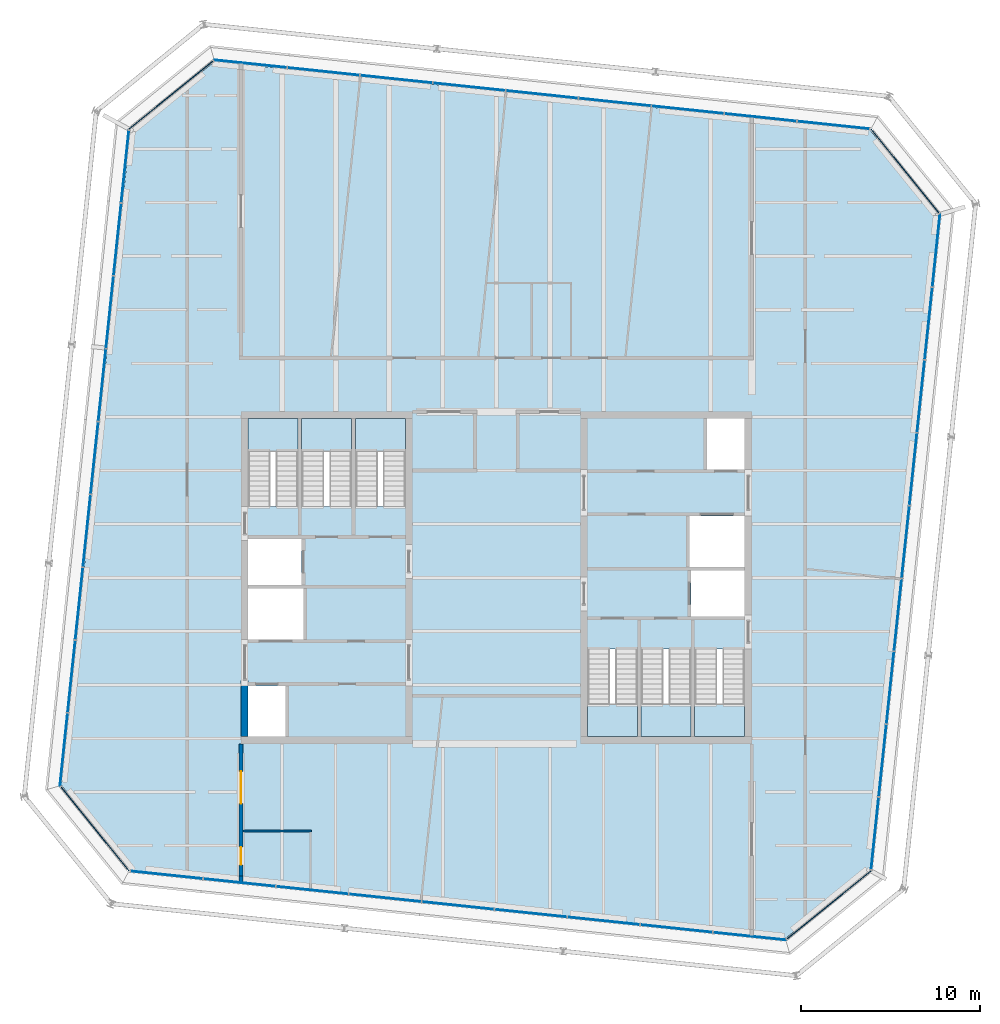
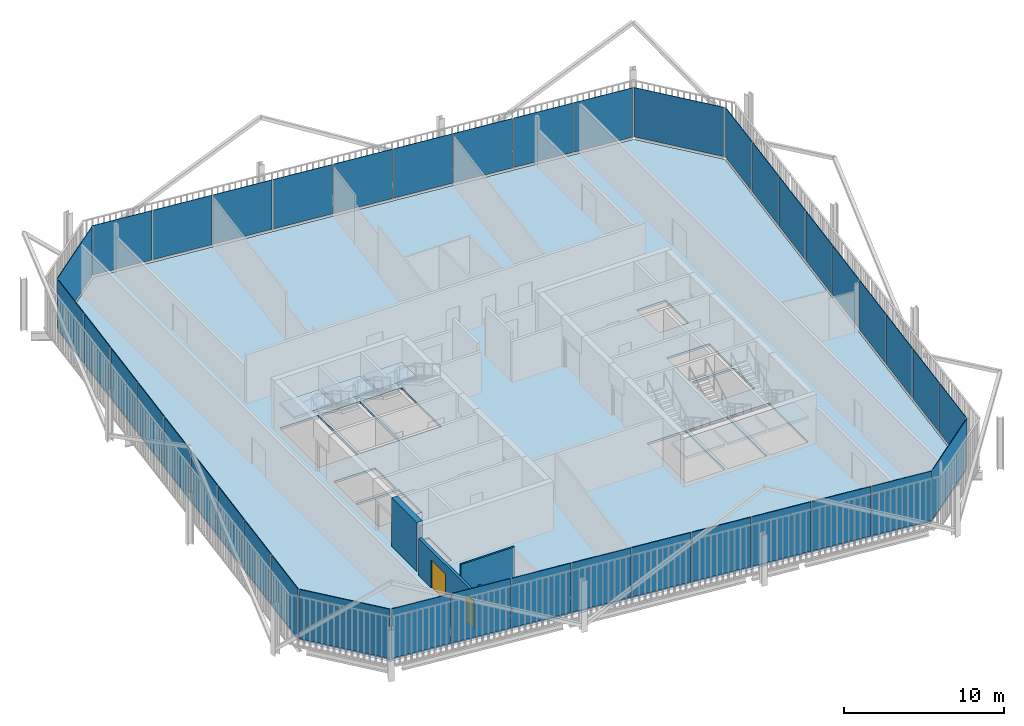
# One storey, part 16 of 21: 40 plates, 7 slabs, 4 walls, 2 doors, 2 openings, 14 elements without a shape of their own.
"""IFC4 building model written with IfcOpenShell, lengths in metres."""

import ifcopenshell
import ifcopenshell.guid

model = None  # the IFC model being written
_history = None  # IfcOwnerHistory: only IFC2X3 demands one
_inside = {}  # id of a spatial element -> (the spatial element, [elements in it])
_under = {}  # id of a project, library or spatial element -> (it, [spatial elements below it])
_declared = {}  # id of a project -> (the project, [libraries it declares])
_typed = {}  # id of a type object -> (the type object, [elements of that type])
_made_of = {}  # id of a material, layer set ... -> (it, [elements and type objects made of it])


def new_model(schema):
    """Start an empty IFC model of exactly this schema.

    Asked for "IFC4X3", IfcOpenShell would pick the latest addendum, in which some entities
    have other attributes; the version numbers below select the first issue.
    IFC2X3 requires an IfcOwnerHistory on every rooted entity: one is made here for all.
    """
    global model, _history
    if schema == "IFC4X3":
        model = ifcopenshell.file(schema_version=(4, 3, 0, 0))
    else:
        model = ifcopenshell.file(schema=schema)
    _inside.clear()
    _under.clear()
    _declared.clear()
    _typed.clear()
    _made_of.clear()
    _history = None
    if model.schema == "IFC2X3":
        org = make("IfcOrganization", Name="unknown")
        user = make(
            "IfcPersonAndOrganization",
            ThePerson=make("IfcPerson", FamilyName="unknown"),
            TheOrganization=org,
        )
        app = make(
            "IfcApplication",
            ApplicationDeveloper=org,
            Version="unknown",
            ApplicationFullName="unknown",
            ApplicationIdentifier="unknown",
        )
        _history = make(
            "IfcOwnerHistory",
            OwningUser=user,
            OwningApplication=app,
            ChangeAction="ADDED",
            CreationDate=0,
        )
    return model


def make(cls, **values):
    """One entity of the class cls with the attributes given. An attribute that is None is left unset."""
    return model.create_entity(
        cls, **{name: value for name, value in values.items() if value is not None}
    )


def rooted(cls, **values):
    """An entity with a GlobalId (a new one), such as an element, a storey or a relation."""
    return make(cls, GlobalId=ifcopenshell.guid.new(), OwnerHistory=_history, **values)


def si_unit(unit_type, name, prefix=None):
    """IfcSIUnit, for example si_unit("LENGTHUNIT", "METRE", prefix="MILLI")."""
    return make("IfcSIUnit", UnitType=unit_type, Prefix=prefix, Name=name)


def assignment(units):
    """IfcUnitAssignment: the units of a project."""
    return None if units is None else make("IfcUnitAssignment", Units=units)


def point(xyz):
    """IfcCartesianPoint."""
    return None if xyz is None else make("IfcCartesianPoint", Coordinates=xyz)


def direction(xyz):
    """IfcDirection."""
    return None if xyz is None else make("IfcDirection", DirectionRatios=xyz)


def frame(location, z_axis=None, x_axis=None):
    """IfcAxis2Placement3D, a coordinate frame: its origin and axes. An axis left out is left unset."""
    return make(
        "IfcAxis2Placement3D",
        Location=point(location),
        Axis=direction(z_axis),
        RefDirection=direction(x_axis),
    )


def frame_2d(location, x_axis=None):
    """IfcAxis2Placement2D, a coordinate frame in the plane: its origin and x axis."""
    return make(
        "IfcAxis2Placement2D", Location=point(location), RefDirection=direction(x_axis)
    )


def origin():
    """The frame at (0, 0, 0) with its axes left unset."""
    return frame((0.0, 0.0, 0.0))


def place(relative_to, where):
    """IfcLocalPlacement: puts the frame where relative to a parent placement (None: the world)."""
    return make(
        "IfcLocalPlacement", PlacementRelTo=relative_to, RelativePlacement=where
    )


def context(
    kind, dimensions, precision=None, world=None, true_north=None, identifier=None
):
    """IfcGeometricRepresentationContext, for example the 3D "Model" context."""
    return make(
        "IfcGeometricRepresentationContext",
        ContextIdentifier=identifier,
        ContextType=kind,
        CoordinateSpaceDimension=dimensions,
        Precision=precision,
        WorldCoordinateSystem=world,
        TrueNorth=true_north,
    )


def subcontext(parent, identifier, kind, view, scale=None):
    """IfcGeometricRepresentationSubContext, for example "Body" below "Model"."""
    return make(
        "IfcGeometricRepresentationSubContext",
        ContextIdentifier=identifier,
        ContextType=kind,
        ParentContext=parent,
        TargetScale=scale,
        TargetView=view,
    )


def project(units=None, contexts=None):
    """IfcProject with its units and contexts."""
    return rooted(
        "IfcProject",
        Name="project",
        RepresentationContexts=contexts,
        UnitsInContext=assignment(units),
    )


def spatial(cls, under=None, at=None, **own):
    """A site, building, storey or space (cls), placed at a placement, below another one or the project."""
    s = rooted(cls, ObjectPlacement=at, **own)
    if under is not None:
        _under.setdefault(under.id(), (under, []))[1].append(s)
    return s


def polyline(points):
    """IfcPolyline through the points."""
    return make("IfcPolyline", Points=[point(p) for p in points])


def profile(cls, at=None, kind="AREA", **sizes):
    """A parametric profile (cls). Its sizes go by their IFC names, for example OverallWidth=200.0."""
    return make(cls, ProfileType=kind, Position=at, **sizes)


def rectangle(**sizes):
    """IfcRectangleProfileDef."""
    return profile("IfcRectangleProfileDef", **sizes)


def outline(outer, holes=None, kind="AREA"):
    """IfcArbitraryClosedProfileDef: a profile drawn as a closed curve; with holes, ...WithVoids."""
    if holes is None:
        return make("IfcArbitraryClosedProfileDef", ProfileType=kind, OuterCurve=outer)
    return make(
        "IfcArbitraryProfileDefWithVoids",
        ProfileType=kind,
        OuterCurve=outer,
        InnerCurves=holes,
    )


def extrude(swept, where, along, depth):
    """IfcExtrudedAreaSolid: the profile swept, set in the frame where, extruded along a direction by depth."""
    return make(
        "IfcExtrudedAreaSolid",
        SweptArea=swept,
        Position=where,
        ExtrudedDirection=direction(along),
        Depth=depth,
    )


def shape(context_of_items, identifier, shape_type, items):
    """IfcShapeRepresentation: the items that make up one representation, for example the "Body"."""
    return make(
        "IfcShapeRepresentation",
        ContextOfItems=context_of_items,
        RepresentationIdentifier=identifier,
        RepresentationType=shape_type,
        Items=items,
    )


def material(Name=None, Category=None):
    """IfcMaterial."""
    return make("IfcMaterial", Name=Name, Category=Category)


def layer(
    of_material, thickness, ventilated=None, Name=None, Category=None, Priority=None
):
    """IfcMaterialLayer: one layer of a wall or slab, of a material (None: an air gap)."""
    return make(
        "IfcMaterialLayer",
        Material=of_material,
        LayerThickness=thickness,
        IsVentilated=ventilated,
        Name=Name,
        Category=Category,
        Priority=Priority,
    )


def layer_set(layers, Name=None):
    """IfcMaterialLayerSet."""
    return make("IfcMaterialLayerSet", MaterialLayers=layers, LayerSetName=Name)


def made_of(thing, what):
    """Note that an element or type object is made of a material, layer set ...; save() writes the relation."""
    if what is not None:
        _made_of.setdefault(what.id(), (what, []))[1].append(thing)
    return thing


def type_object(cls, material=None, **own):
    """A type object (cls), such as IfcWallType, which elements share."""
    return made_of(rooted(cls, **own), material)


def element(
    cls,
    number,
    at=None,
    inside=None,
    cuts=None,
    type_object=None,
    material=None,
    context=None,
    identifier="Body",
    shape_type=None,
    held_by="IfcProductDefinitionShape",
    body=None,
    shapes=None,
    **own,
):
    """One element of the class cls, such as IfcWall. Its Tag is "e" and its number.

    at: its placement. inside: the storey or other place that contains it. cuts: it is an
    opening in that element (IfcRelVoidsElement). A single representation is given by context,
    identifier, shape_type and body (its items); several are given by shapes. held_by: the class
    of the entity that holds the representations. save() writes the other relations.
    """
    e = rooted(cls, Tag="e%d" % number, ObjectPlacement=at, **own)
    if body is not None:
        shapes = [shape(context, identifier, shape_type, body)]
    if shapes is not None:
        e.Representation = make(held_by, Representations=shapes)
    if inside is not None:
        _inside.setdefault(inside.id(), (inside, []))[1].append(e)
    if cuts is not None:
        rooted(
            "IfcRelVoidsElement", RelatingBuildingElement=cuts, RelatedOpeningElement=e
        )
    if type_object is not None:
        _typed.setdefault(type_object.id(), (type_object, []))[1].append(e)
    return made_of(e, material)


def fill(opening, filler):
    """IfcRelFillsElement: the door or window that sits in an opening."""
    return rooted(
        "IfcRelFillsElement",
        RelatingOpeningElement=opening,
        RelatedBuildingElement=filler,
    )


def aggregate(whole, parts):
    """IfcRelAggregates: a whole, such as a stair, and the parts it consists of."""
    return rooted("IfcRelAggregates", RelatingObject=whole, RelatedObjects=parts)


def save(model, path):
    """Write the relations noted so far, then the file.

    IfcRelAggregates (storeys below a building ...), IfcRelContainedInSpatialStructure (elements
    in a storey), IfcRelDefinesByType, IfcRelAssociatesMaterial and IfcRelDeclares: one each for
    every whole, place, type object, material and project.
    """
    for whole, parts in _under.values():
        aggregate(whole, parts)
    for where, things in _inside.values():
        rooted(
            "IfcRelContainedInSpatialStructure",
            RelatedElements=things,
            RelatingStructure=where,
        )
    for kind, things in _typed.values():
        rooted("IfcRelDefinesByType", RelatedObjects=things, RelatingType=kind)
    for what, things in _made_of.values():
        rooted("IfcRelAssociatesMaterial", RelatedObjects=things, RelatingMaterial=what)
    for by, libraries in _declared.values():
        rooted("IfcRelDeclares", RelatingContext=by, RelatedDefinitions=libraries)
    model.write(path)


model = new_model("IFC4")

# Units and contexts
model_context = context("Model", 3, precision=1e-05, world=origin(), true_north=direction((0.0, 1.0)))
body_context = subcontext(model_context, "Body", "Model", "MODEL_VIEW")
ifc_project = project(units=[si_unit("LENGTHUNIT", "METRE"), si_unit("AREAUNIT", "SQUARE_METRE"), si_unit("VOLUMEUNIT", "CUBIC_METRE"), si_unit("PLANEANGLEUNIT", "RADIAN"), si_unit("MASSUNIT", "GRAM", prefix="KILO")], contexts=[model_context])

# Site, building, storey
site_placement = place(None, origin())
site = spatial("IfcSite", under=ifc_project, at=site_placement, CompositionType="ELEMENT")
building_placement = place(site_placement, origin())
building = spatial("IfcBuilding", under=site, at=building_placement, Name="Millrace Tower", CompositionType="ELEMENT")
storey_placement = place(building_placement, frame((0.0, 0.0, 276.0)))
storey = spatial("IfcBuildingStorey", under=building, at=storey_placement, Name="L63", CompositionType="ELEMENT", Elevation=276.0)

# Curtain wall, plate
ifc_material_1 = material(Name="Aluminium and glass", Category="aluminium")
ifc_layer_1 = layer(ifc_material_1, 0.14990234375)
ifc_layer_set_1 = layer_set([ifc_layer_1], Name="Aluminium and glass")
curtain_wall_type = type_object("IfcCurtainWallType", Name="CW-1 office vision curtain wall", PredefinedType="NOTDEFINED", material=ifc_layer_set_1)
placement_1 = place(storey_placement, origin())
curtain_wall_1 = element("IfcCurtainWall", 1, at=placement_1, inside=storey, type_object=curtain_wall_type, Name="Curtain wall E-F01 L63", PredefinedType="NOTDEFINED")
ifc_material_2 = material(Name="Glass", Category="glass")
ifc_layer_2 = layer(ifc_material_2, 0.0439453125)
ifc_layer_set_2 = layer_set([ifc_layer_2], Name="Glass")
plate_type = type_object("IfcPlateType", Name="CW-1 office vision curtain wall triple-glazed vision panel", PredefinedType="CURTAIN_PANEL", material=ifc_layer_set_2)
placement_2 = place(storey_placement, frame((0.0, 0.0, 0.139892578125)))
plate_1 = element("IfcPlate", 2, at=placement_2, type_object=plate_type, Name="CW1 panel E-F01.1", PredefinedType="CURTAIN_PANEL", context=body_context, shape_type="SweptSolid", body=[
    extrude(outline(polyline([(-24.388427734375, -11.732421875), (-20.5771484375, -16.439208984375), (-20.554443359375, -16.397216796875), (-24.354248046875, -11.704833984375), (-24.388427734375, -11.732421875)])), origin(), (0.0, 0.0, 1.0), 3.760009765625),
])
aggregate(curtain_wall_1, [plate_1])

# Curtain wall, plates
curtain_wall_2 = element("IfcCurtainWall", 3, at=placement_1, inside=storey, type_object=curtain_wall_type, Name="Curtain wall E-F02 L63", PredefinedType="NOTDEFINED")
plate_2 = element("IfcPlate", 4, at=placement_2, type_object=plate_type, Name="CW1 panel E-F02.1", PredefinedType="CURTAIN_PANEL", context=body_context, shape_type="SweptSolid", body=[
    extrude(outline(polyline([(-20.472412109375, -16.4501953125), (-16.45947265625, -16.871826171875), (-16.454833984375, -16.828125), (-20.4677734375, -16.40625), (-20.472412109375, -16.4501953125)])), origin(), (0.0, 0.0, 1.0), 3.760009765625),
])
plate_3 = element("IfcPlate", 5, at=placement_2, type_object=plate_type, Name="CW1 panel E-F02.2", PredefinedType="CURTAIN_PANEL", context=body_context, shape_type="SweptSolid", body=[
    extrude(outline(polyline([(-16.39501953125, -16.878662109375), (-12.382080078125, -17.300537109375), (-12.37744140625, -17.256591796875), (-16.390380859375, -16.8349609375), (-16.39501953125, -16.878662109375)])), origin(), (0.0, 0.0, 1.0), 3.760009765625),
])
plate_4 = element("IfcPlate", 6, at=placement_2, type_object=plate_type, Name="CW1 panel E-F02.3", PredefinedType="CURTAIN_PANEL", context=body_context, shape_type="SweptSolid", body=[
    extrude(outline(polyline([(-12.3173828125, -17.30712890625), (-8.304443359375, -17.72900390625), (-8.2998046875, -17.685302734375), (-12.312744140625, -17.263427734375), (-12.3173828125, -17.30712890625)])), origin(), (0.0, 0.0, 1.0), 3.760009765625),
])
plate_5 = element("IfcPlate", 7, at=placement_2, type_object=plate_type, Name="CW1 panel E-F02.4", PredefinedType="CURTAIN_PANEL", context=body_context, shape_type="SweptSolid", body=[
    extrude(outline(polyline([(-8.23974609375, -17.73583984375), (-4.22705078125, -18.157470703125), (-4.222412109375, -18.11376953125), (-8.235107421875, -17.692138671875), (-8.23974609375, -17.73583984375)])), origin(), (0.0, 0.0, 1.0), 3.760009765625),
])
plate_6 = element("IfcPlate", 8, at=placement_2, type_object=plate_type, Name="CW1 panel E-F02.5", PredefinedType="CURTAIN_PANEL", context=body_context, shape_type="SweptSolid", body=[
    extrude(outline(polyline([(-4.162353515625, -18.164306640625), (-0.1494140625, -18.586181640625), (-0.144775390625, -18.54248046875), (-4.15771484375, -18.12060546875), (-4.162353515625, -18.164306640625)])), origin(), (0.0, 0.0, 1.0), 3.760009765625),
])
plate_7 = element("IfcPlate", 9, at=placement_2, type_object=plate_type, Name="CW1 panel E-F02.6", PredefinedType="CURTAIN_PANEL", context=body_context, shape_type="SweptSolid", body=[
    extrude(outline(polyline([(-0.084716796875, -18.593017578125), (3.92822265625, -19.0146484375), (3.932861328125, -18.970947265625), (-0.080078125, -18.549072265625), (-0.084716796875, -18.593017578125)])), origin(), (0.0, 0.0, 1.0), 3.760009765625),
])
plate_8 = element("IfcPlate", 10, at=placement_2, type_object=plate_type, Name="CW1 panel E-F02.7", PredefinedType="CURTAIN_PANEL", context=body_context, shape_type="SweptSolid", body=[
    extrude(outline(polyline([(3.99267578125, -19.021484375), (8.005615234375, -19.443359375), (8.01025390625, -19.3994140625), (3.997314453125, -18.977783203125), (3.99267578125, -19.021484375)])), origin(), (0.0, 0.0, 1.0), 3.760009765625),
])
plate_9 = element("IfcPlate", 11, at=placement_2, type_object=plate_type, Name="CW1 panel E-F02.8", PredefinedType="CURTAIN_PANEL", context=body_context, shape_type="SweptSolid", body=[
    extrude(outline(polyline([(8.0703125, -19.449951171875), (12.083251953125, -19.871826171875), (12.087890625, -19.828125), (8.074951171875, -19.40625), (8.0703125, -19.449951171875)])), origin(), (0.0, 0.0, 1.0), 3.760009765625),
])
plate_10 = element("IfcPlate", 12, at=placement_2, type_object=plate_type, Name="CW1 panel E-F02.9", PredefinedType="CURTAIN_PANEL", context=body_context, shape_type="SweptSolid", body=[
    extrude(outline(polyline([(12.14794921875, -19.878662109375), (16.20068359375, -20.3046875), (16.187255859375, -20.259033203125), (12.152587890625, -19.8349609375), (12.14794921875, -19.878662109375)])), origin(), (0.0, 0.0, 1.0), 3.760009765625),
])
aggregate(curtain_wall_2, [plate_2, plate_3, plate_4, plate_5, plate_6, plate_7, plate_8, plate_9, plate_10])

# Curtain wall, plate
curtain_wall_3 = element("IfcCurtainWall", 13, at=placement_1, inside=storey, type_object=curtain_wall_type, Name="Curtain wall E-F03 L63", PredefinedType="NOTDEFINED")
plate_11 = element("IfcPlate", 14, at=placement_2, type_object=plate_type, Name="CW1 panel E-F03.1", PredefinedType="CURTAIN_PANEL", context=body_context, shape_type="SweptSolid", body=[
    extrude(outline(polyline([(16.282470703125, -20.23828125), (20.989013671875, -16.427001953125), (20.947265625, -16.404296875), (16.2548828125, -20.2041015625), (16.282470703125, -20.23828125)])), origin(), (0.0, 0.0, 1.0), 3.760009765625),
])
aggregate(curtain_wall_3, [plate_11])

# Curtain wall, plates
curtain_wall_4 = element("IfcCurtainWall", 15, at=placement_1, inside=storey, type_object=curtain_wall_type, Name="Curtain wall E-F04 L63", PredefinedType="NOTDEFINED")
plate_12 = element("IfcPlate", 16, at=placement_2, type_object=plate_type, Name="CW1 panel E-F04.1", PredefinedType="CURTAIN_PANEL", context=body_context, shape_type="SweptSolid", body=[
    extrude(outline(polyline([(21.0, -16.322509765625), (21.421875, -12.3095703125), (21.378173828125, -12.304931640625), (20.956298828125, -16.31787109375), (21.0, -16.322509765625)])), origin(), (0.0, 0.0, 1.0), 3.760009765625),
])
plate_13 = element("IfcPlate", 17, at=placement_2, type_object=plate_type, Name="CW1 panel E-F04.2", PredefinedType="CURTAIN_PANEL", context=body_context, shape_type="SweptSolid", body=[
    extrude(outline(polyline([(21.4287109375, -12.244873046875), (21.850341796875, -8.23193359375), (21.806640625, -8.227294921875), (21.385009765625, -12.240234375), (21.4287109375, -12.244873046875)])), origin(), (0.0, 0.0, 1.0), 3.760009765625),
])
plate_14 = element("IfcPlate", 18, at=placement_2, type_object=plate_type, Name="CW1 panel E-F04.3", PredefinedType="CURTAIN_PANEL", context=body_context, shape_type="SweptSolid", body=[
    extrude(outline(polyline([(21.857177734375, -8.16748046875), (22.279052734375, -4.154541015625), (22.2353515625, -4.14990234375), (21.8134765625, -8.162841796875), (21.857177734375, -8.16748046875)])), origin(), (0.0, 0.0, 1.0), 3.760009765625),
])
plate_15 = element("IfcPlate", 19, at=placement_2, type_object=plate_type, Name="CW1 panel E-F04.4", PredefinedType="CURTAIN_PANEL", context=body_context, shape_type="SweptSolid", body=[
    extrude(outline(polyline([(22.285888671875, -4.08984375), (22.70751953125, -0.076904296875), (22.663818359375, -0.072265625), (22.241943359375, -4.085205078125), (22.285888671875, -4.08984375)])), origin(), (0.0, 0.0, 1.0), 3.760009765625),
])
plate_16 = element("IfcPlate", 20, at=placement_2, type_object=plate_type, Name="CW1 panel E-F04.5", PredefinedType="CURTAIN_PANEL", context=body_context, shape_type="SweptSolid", body=[
    extrude(outline(polyline([(22.71435546875, -0.01220703125), (23.13623046875, 4.00048828125), (23.09228515625, 4.005126953125), (22.670654296875, -0.007568359375), (22.71435546875, -0.01220703125)])), origin(), (0.0, 0.0, 1.0), 3.760009765625),
])
plate_17 = element("IfcPlate", 21, at=placement_2, type_object=plate_type, Name="CW1 panel E-F04.6", PredefinedType="CURTAIN_PANEL", context=body_context, shape_type="SweptSolid", body=[
    extrude(outline(polyline([(23.142822265625, 4.065185546875), (23.564697265625, 8.078125), (23.52099609375, 8.082763671875), (23.09912109375, 4.06982421875), (23.142822265625, 4.065185546875)])), origin(), (0.0, 0.0, 1.0), 3.760009765625),
])
plate_18 = element("IfcPlate", 22, at=placement_2, type_object=plate_type, Name="CW1 panel E-F04.7", PredefinedType="CURTAIN_PANEL", context=body_context, shape_type="SweptSolid", body=[
    extrude(outline(polyline([(23.571533203125, 8.142822265625), (23.9931640625, 12.15576171875), (23.949462890625, 12.160400390625), (23.52783203125, 8.1474609375), (23.571533203125, 8.142822265625)])), origin(), (0.0, 0.0, 1.0), 3.760009765625),
])
plate_19 = element("IfcPlate", 23, at=placement_2, type_object=plate_type, Name="CW1 panel E-F04.8", PredefinedType="CURTAIN_PANEL", context=body_context, shape_type="SweptSolid", body=[
    extrude(outline(polyline([(24.0, 12.22021484375), (24.421875, 16.233154296875), (24.378173828125, 16.23779296875), (23.956298828125, 12.224853515625), (24.0, 12.22021484375)])), origin(), (0.0, 0.0, 1.0), 3.760009765625),
])
plate_20 = element("IfcPlate", 24, at=placement_2, type_object=plate_type, Name="CW1 panel E-F04.9", PredefinedType="CURTAIN_PANEL", context=body_context, shape_type="SweptSolid", body=[
    extrude(outline(polyline([(24.4287109375, 16.2978515625), (24.8544921875, 20.350830078125), (24.808837890625, 20.337158203125), (24.384765625, 16.302490234375), (24.4287109375, 16.2978515625)])), origin(), (0.0, 0.0, 1.0), 3.760009765625),
])
aggregate(curtain_wall_4, [plate_12, plate_13, plate_14, plate_15, plate_16, plate_17, plate_18, plate_19, plate_20])

# Curtain wall, plate
curtain_wall_5 = element("IfcCurtainWall", 25, at=placement_1, inside=storey, type_object=curtain_wall_type, Name="Curtain wall E-F05 L63", PredefinedType="NOTDEFINED")
plate_21 = element("IfcPlate", 26, at=placement_2, type_object=plate_type, Name="CW1 panel E-F05.1", PredefinedType="CURTAIN_PANEL", context=body_context, shape_type="SweptSolid", body=[
    extrude(outline(polyline([(24.788330078125, 20.432373046875), (20.97705078125, 25.13916015625), (20.954345703125, 25.09716796875), (24.754150390625, 20.40478515625), (24.788330078125, 20.432373046875)])), origin(), (0.0, 0.0, 1.0), 3.760009765625),
])
aggregate(curtain_wall_5, [plate_21])

# Curtain wall, plates
curtain_wall_6 = element("IfcCurtainWall", 27, at=placement_1, inside=storey, type_object=curtain_wall_type, Name="Curtain wall E-F06 L63", PredefinedType="NOTDEFINED")
plate_22 = element("IfcPlate", 28, at=placement_2, type_object=plate_type, Name="CW1 panel E-F06.1", PredefinedType="CURTAIN_PANEL", context=body_context, shape_type="SweptSolid", body=[
    extrude(outline(polyline([(20.87255859375, 25.150146484375), (16.859619140625, 25.57177734375), (16.85498046875, 25.528076171875), (20.867919921875, 25.1064453125), (20.87255859375, 25.150146484375)])), origin(), (0.0, 0.0, 1.0), 3.760009765625),
])
plate_23 = element("IfcPlate", 29, at=placement_2, type_object=plate_type, Name="CW1 panel E-F06.2", PredefinedType="CURTAIN_PANEL", context=body_context, shape_type="SweptSolid", body=[
    extrude(outline(polyline([(16.794921875, 25.57861328125), (12.781982421875, 26.00048828125), (12.77734375, 25.956787109375), (16.790283203125, 25.534912109375), (16.794921875, 25.57861328125)])), origin(), (0.0, 0.0, 1.0), 3.760009765625),
])
plate_24 = element("IfcPlate", 30, at=placement_2, type_object=plate_type, Name="CW1 panel E-F06.3", PredefinedType="CURTAIN_PANEL", context=body_context, shape_type="SweptSolid", body=[
    extrude(outline(polyline([(12.71728515625, 26.00732421875), (8.70458984375, 26.428955078125), (8.699951171875, 26.38525390625), (12.712646484375, 25.96337890625), (12.71728515625, 26.00732421875)])), origin(), (0.0, 0.0, 1.0), 3.760009765625),
])
plate_25 = element("IfcPlate", 31, at=placement_2, type_object=plate_type, Name="CW1 panel E-F06.4", PredefinedType="CURTAIN_PANEL", context=body_context, shape_type="SweptSolid", body=[
    extrude(outline(polyline([(8.639892578125, 26.435791015625), (4.626953125, 26.857666015625), (4.622314453125, 26.813720703125), (8.63525390625, 26.39208984375), (8.639892578125, 26.435791015625)])), origin(), (0.0, 0.0, 1.0), 3.760009765625),
])
plate_26 = element("IfcPlate", 32, at=placement_2, type_object=plate_type, Name="CW1 panel E-F06.5", PredefinedType="CURTAIN_PANEL", context=body_context, shape_type="SweptSolid", body=[
    extrude(outline(polyline([(4.562255859375, 26.8642578125), (0.54931640625, 27.2861328125), (0.544677734375, 27.242431640625), (4.5576171875, 26.820556640625), (4.562255859375, 26.8642578125)])), origin(), (0.0, 0.0, 1.0), 3.760009765625),
])
plate_27 = element("IfcPlate", 33, at=placement_2, type_object=plate_type, Name="CW1 panel E-F06.6", PredefinedType="CURTAIN_PANEL", context=body_context, shape_type="SweptSolid", body=[
    extrude(outline(polyline([(0.48486328125, 27.29296875), (-3.528076171875, 27.714599609375), (-3.53271484375, 27.6708984375), (0.480224609375, 27.249267578125), (0.48486328125, 27.29296875)])), origin(), (0.0, 0.0, 1.0), 3.760009765625),
])
plate_28 = element("IfcPlate", 34, at=placement_2, type_object=plate_type, Name="CW1 panel E-F06.7", PredefinedType="CURTAIN_PANEL", context=body_context, shape_type="SweptSolid", body=[
    extrude(outline(polyline([(-3.5927734375, 27.721435546875), (-7.605712890625, 28.143310546875), (-7.6103515625, 28.099609375), (-3.597412109375, 27.677734375), (-3.5927734375, 27.721435546875)])), origin(), (0.0, 0.0, 1.0), 3.760009765625),
])
plate_29 = element("IfcPlate", 35, at=placement_2, type_object=plate_type, Name="CW1 panel E-F06.8", PredefinedType="CURTAIN_PANEL", context=body_context, shape_type="SweptSolid", body=[
    extrude(outline(polyline([(-7.67041015625, 28.150146484375), (-11.68310546875, 28.57177734375), (-11.687744140625, 28.528076171875), (-7.675048828125, 28.106201171875), (-7.67041015625, 28.150146484375)])), origin(), (0.0, 0.0, 1.0), 3.760009765625),
])
plate_30 = element("IfcPlate", 36, at=placement_2, type_object=plate_type, Name="CW1 panel E-F06.9", PredefinedType="CURTAIN_PANEL", context=body_context, shape_type="SweptSolid", body=[
    extrude(outline(polyline([(-11.747802734375, 28.57861328125), (-15.80078125, 29.004638671875), (-15.787109375, 28.958984375), (-11.75244140625, 28.534912109375), (-11.747802734375, 28.57861328125)])), origin(), (0.0, 0.0, 1.0), 3.760009765625),
])
aggregate(curtain_wall_6, [plate_22, plate_23, plate_24, plate_25, plate_26, plate_27, plate_28, plate_29, plate_30])

# Curtain wall, plate
curtain_wall_7 = element("IfcCurtainWall", 37, at=placement_1, inside=storey, type_object=curtain_wall_type, Name="Curtain wall E-F07 L63", PredefinedType="NOTDEFINED")
plate_31 = element("IfcPlate", 38, at=placement_2, type_object=plate_type, Name="CW1 panel E-F07.1", PredefinedType="CURTAIN_PANEL", context=body_context, shape_type="SweptSolid", body=[
    extrude(outline(polyline([(-15.882568359375, 28.9384765625), (-20.589111328125, 25.126953125), (-20.547119140625, 25.104248046875), (-15.854736328125, 28.904296875), (-15.882568359375, 28.9384765625)])), origin(), (0.0, 0.0, 1.0), 3.760009765625),
])
aggregate(curtain_wall_7, [plate_31])

# Curtain wall, plates
curtain_wall_8 = element("IfcCurtainWall", 39, at=placement_1, inside=storey, type_object=curtain_wall_type, Name="Curtain wall E-F08 L63", PredefinedType="NOTDEFINED")
plate_32 = element("IfcPlate", 40, at=placement_2, type_object=plate_type, Name="CW1 panel E-F08.1", PredefinedType="CURTAIN_PANEL", context=body_context, shape_type="SweptSolid", body=[
    extrude(outline(polyline([(-20.60009765625, 25.0224609375), (-21.02197265625, 21.009521484375), (-20.97802734375, 21.0048828125), (-20.556396484375, 25.017822265625), (-20.60009765625, 25.0224609375)])), origin(), (0.0, 0.0, 1.0), 3.760009765625),
])
plate_33 = element("IfcPlate", 41, at=placement_2, type_object=plate_type, Name="CW1 panel E-F08.2", PredefinedType="CURTAIN_PANEL", context=body_context, shape_type="SweptSolid", body=[
    extrude(outline(polyline([(-21.028564453125, 20.94482421875), (-21.450439453125, 16.93212890625), (-21.40673828125, 16.927490234375), (-20.98486328125, 20.9404296875), (-21.028564453125, 20.94482421875)])), origin(), (0.0, 0.0, 1.0), 3.760009765625),
])
plate_34 = element("IfcPlate", 42, at=placement_2, type_object=plate_type, Name="CW1 panel E-F08.3", PredefinedType="CURTAIN_PANEL", context=body_context, shape_type="SweptSolid", body=[
    extrude(outline(polyline([(-21.457275390625, 16.867431640625), (-21.87890625, 12.8544921875), (-21.835205078125, 12.849853515625), (-21.41357421875, 16.86279296875), (-21.457275390625, 16.867431640625)])), origin(), (0.0, 0.0, 1.0), 3.760009765625),
])
plate_35 = element("IfcPlate", 43, at=placement_2, type_object=plate_type, Name="CW1 panel E-F08.4", PredefinedType="CURTAIN_PANEL", context=body_context, shape_type="SweptSolid", body=[
    extrude(outline(polyline([(-21.8857421875, 12.789794921875), (-22.3076171875, 8.77685546875), (-22.263916015625, 8.772216796875), (-21.842041015625, 12.78515625), (-21.8857421875, 12.789794921875)])), origin(), (0.0, 0.0, 1.0), 3.760009765625),
])
plate_36 = element("IfcPlate", 44, at=placement_2, type_object=plate_type, Name="CW1 panel E-F08.5", PredefinedType="CURTAIN_PANEL", context=body_context, shape_type="SweptSolid", body=[
    extrude(outline(polyline([(-22.314453125, 8.71240234375), (-22.736083984375, 4.699462890625), (-22.6923828125, 4.69482421875), (-22.2705078125, 8.707763671875), (-22.314453125, 8.71240234375)])), origin(), (0.0, 0.0, 1.0), 3.760009765625),
])
plate_37 = element("IfcPlate", 45, at=placement_2, type_object=plate_type, Name="CW1 panel E-F08.6", PredefinedType="CURTAIN_PANEL", context=body_context, shape_type="SweptSolid", body=[
    extrude(outline(polyline([(-22.742919921875, 4.634765625), (-23.164794921875, 0.621826171875), (-23.120849609375, 0.6171875), (-22.69921875, 4.630126953125), (-22.742919921875, 4.634765625)])), origin(), (0.0, 0.0, 1.0), 3.760009765625),
])
plate_38 = element("IfcPlate", 46, at=placement_2, type_object=plate_type, Name="CW1 panel E-F08.7", PredefinedType="CURTAIN_PANEL", context=body_context, shape_type="SweptSolid", body=[
    extrude(outline(polyline([(-23.17138671875, 0.55712890625), (-23.59326171875, -3.45556640625), (-23.549560546875, -3.460205078125), (-23.127685546875, 0.552490234375), (-23.17138671875, 0.55712890625)])), origin(), (0.0, 0.0, 1.0), 3.760009765625),
])
plate_39 = element("IfcPlate", 47, at=placement_2, type_object=plate_type, Name="CW1 panel E-F08.8", PredefinedType="CURTAIN_PANEL", context=body_context, shape_type="SweptSolid", body=[
    extrude(outline(polyline([(-23.60009765625, -3.520263671875), (-24.021728515625, -7.533203125), (-23.97802734375, -7.537841796875), (-23.556396484375, -3.52490234375), (-23.60009765625, -3.520263671875)])), origin(), (0.0, 0.0, 1.0), 3.760009765625),
])
plate_40 = element("IfcPlate", 48, at=placement_2, type_object=plate_type, Name="CW1 panel E-F08.9", PredefinedType="CURTAIN_PANEL", context=body_context, shape_type="SweptSolid", body=[
    extrude(outline(polyline([(-24.028564453125, -7.597900390625), (-24.45458984375, -11.650634765625), (-24.408935546875, -11.63720703125), (-23.98486328125, -7.6025390625), (-24.028564453125, -7.597900390625)])), origin(), (0.0, 0.0, 1.0), 3.760009765625),
])
aggregate(curtain_wall_8, [plate_32, plate_33, plate_34, plate_35, plate_36, plate_37, plate_38, plate_39, plate_40])

# Slab
ifc_material_3 = material(Name="Concrete C35 on steel deck", Category="concrete")
ifc_layer_3 = layer(ifc_material_3, 0.159912109375)
ifc_layer_set_3 = layer_set([ifc_layer_3], Name="Concrete C35 on steel deck")
slab_type_1 = type_object("IfcSlabType", Name="Composite floor slab 160 mm", PredefinedType="FLOOR", material=ifc_layer_set_3)
slab_1_placement = place(storey_placement, frame((0.0, 0.0, -0.159912109375)))
element("IfcSlab", 49, at=slab_1_placement, inside=storey, type_object=slab_type_1, Name="SL-E-L63-S1", PredefinedType="FLOOR", context=body_context, shape_type="SweptSolid", body=[
    extrude(outline(polyline([(-24.35400390625, -11.620849609375), (-20.52685546875, -16.346923828125), (16.1708984375, -20.203857421875), (20.896728515625, -16.376953125), (24.75390625, 20.32080078125), (20.927001953125, 25.046875), (-15.77099609375, 28.90380859375), (-20.496826171875, 25.076904296875), (-24.35400390625, -11.620849609375)]), holes=[polyline([(-13.89990234375, -8.89990234375), (-11.800048828125, -8.89990234375), (-11.800048828125, -6.050048828125), (-13.89990234375, -6.050048828125), (-13.89990234375, -8.89990234375)]), polyline([(-13.89990234375, -3.449951171875), (-10.800048828125, -3.449951171875), (-10.800048828125, -0.60009765625), (-13.89990234375, -0.60009765625), (-13.89990234375, -3.449951171875)]), polyline([(-13.89990234375, -0.39990234375), (-10.89990234375, -0.39990234375), (-10.89990234375, 2.179931640625), (-13.89990234375, 2.179931640625), (-13.89990234375, -0.39990234375)]), polyline([(-13.89990234375, 4.0), (-11.10009765625, 4.0), (-11.10009765625, 8.89990234375), (-13.89990234375, 8.89990234375), (-13.89990234375, 4.0)]), polyline([(-10.89990234375, 4.0), (-8.10009765625, 4.0), (-8.10009765625, 8.89990234375), (-10.89990234375, 8.89990234375), (-10.89990234375, 4.0)]), polyline([(-7.89990234375, 4.0), (-5.10009765625, 4.0), (-5.10009765625, 8.89990234375), (-7.89990234375, 8.89990234375), (-7.89990234375, 4.0)]), polyline([(11.800048828125, 6.050048828125), (13.89990234375, 6.050048828125), (13.89990234375, 8.89990234375), (11.800048828125, 8.89990234375), (11.800048828125, 6.050048828125)]), polyline([(10.800048828125, 0.60009765625), (13.89990234375, 0.60009765625), (13.89990234375, 3.449951171875), (10.800048828125, 3.449951171875), (10.800048828125, 0.60009765625)]), polyline([(10.89990234375, -2.179931640625), (13.89990234375, -2.179931640625), (13.89990234375, 0.39990234375), (10.89990234375, 0.39990234375), (10.89990234375, -2.179931640625)]), polyline([(11.10009765625, -8.89990234375), (13.89990234375, -8.89990234375), (13.89990234375, -4.0), (11.10009765625, -4.0), (11.10009765625, -8.89990234375)]), polyline([(8.10009765625, -8.89990234375), (10.89990234375, -8.89990234375), (10.89990234375, -4.0), (8.10009765625, -4.0), (8.10009765625, -8.89990234375)]), polyline([(5.10009765625, -8.89990234375), (7.89990234375, -8.89990234375), (7.89990234375, -4.0), (5.10009765625, -4.0), (5.10009765625, -8.89990234375)])]), origin(), (0.0, 0.0, 1.0), 0.159912109375),
])

# Stair, slab
ifc_material_4 = material(Name="Concrete C35", Category="concrete")
stair_type = type_object("IfcStairType", Name="Exit stair", PredefinedType="HALF_TURN_STAIR", material=ifc_material_4)
stair_1 = element("IfcStair", 50, at=placement_1, inside=storey, type_object=stair_type, Name="Stair 1 W L63", PredefinedType="HALF_TURN_STAIR")
ifc_material_5 = material(Name="Concrete C40", Category="concrete")
ifc_layer_4 = layer(ifc_material_5, 0.199951171875)
ifc_layer_set_4 = layer_set([ifc_layer_4], Name="Concrete C40")
slab_type_2 = type_object("IfcSlabType", Name="Stair landing", PredefinedType="LANDING", material=ifc_layer_set_4)
placement_3 = place(storey_placement, frame((0.0, 0.0, 1.75)))
slab_2 = element("IfcSlab", 51, at=placement_3, type_object=slab_type_2, Name="ST12 landing 1", PredefinedType="LANDING", context=body_context, shape_type="SweptSolid", body=[
    extrude(outline(polyline([(-13.89990234375, 7.080078125), (-11.10009765625, 7.080078125), (-11.10009765625, 8.89990234375), (-13.89990234375, 8.89990234375), (-13.89990234375, 7.080078125)])), origin(), (0.0, 0.0, 1.0), 0.199951171875),
])
aggregate(stair_1, [slab_2])

stair_2 = element("IfcStair", 52, at=placement_1, inside=storey, type_object=stair_type, Name="Stair 2 W L63", PredefinedType="HALF_TURN_STAIR")
slab_3 = element("IfcSlab", 53, at=placement_3, type_object=slab_type_2, Name="ST12 landing 1", PredefinedType="LANDING", context=body_context, shape_type="SweptSolid", body=[
    extrude(outline(polyline([(-10.89990234375, 7.080078125), (-8.10009765625, 7.080078125), (-8.10009765625, 8.89990234375), (-10.89990234375, 8.89990234375), (-10.89990234375, 7.080078125)])), origin(), (0.0, 0.0, 1.0), 0.199951171875),
])
aggregate(stair_2, [slab_3])

stair_3 = element("IfcStair", 54, at=placement_1, inside=storey, type_object=stair_type, Name="Stair 3 W L63", PredefinedType="HALF_TURN_STAIR")
slab_4 = element("IfcSlab", 55, at=placement_3, type_object=slab_type_2, Name="ST12 landing 1", PredefinedType="LANDING", context=body_context, shape_type="SweptSolid", body=[
    extrude(outline(polyline([(-7.89990234375, 7.080078125), (-5.10009765625, 7.080078125), (-5.10009765625, 8.89990234375), (-7.89990234375, 8.89990234375), (-7.89990234375, 7.080078125)])), origin(), (0.0, 0.0, 1.0), 0.199951171875),
])
aggregate(stair_3, [slab_4])

stair_4 = element("IfcStair", 56, at=placement_1, inside=storey, type_object=stair_type, Name="Stair 1 E L63", PredefinedType="HALF_TURN_STAIR")
slab_5 = element("IfcSlab", 57, at=placement_3, type_object=slab_type_2, Name="ST12 landing 1", PredefinedType="LANDING", context=body_context, shape_type="SweptSolid", body=[
    extrude(outline(polyline([(11.10009765625, -8.89990234375), (13.89990234375, -8.89990234375), (13.89990234375, -7.080078125), (11.10009765625, -7.080078125), (11.10009765625, -8.89990234375)])), origin(), (0.0, 0.0, 1.0), 0.199951171875),
])
aggregate(stair_4, [slab_5])

stair_5 = element("IfcStair", 58, at=placement_1, inside=storey, type_object=stair_type, Name="Stair 2 E L63", PredefinedType="HALF_TURN_STAIR")
slab_6 = element("IfcSlab", 59, at=placement_3, type_object=slab_type_2, Name="ST12 landing 1", PredefinedType="LANDING", context=body_context, shape_type="SweptSolid", body=[
    extrude(outline(polyline([(8.10009765625, -8.89990234375), (10.89990234375, -8.89990234375), (10.89990234375, -7.080078125), (8.10009765625, -7.080078125), (8.10009765625, -8.89990234375)])), origin(), (0.0, 0.0, 1.0), 0.199951171875),
])
aggregate(stair_5, [slab_6])

stair_6 = element("IfcStair", 60, at=placement_1, inside=storey, type_object=stair_type, Name="Stair 3 E L63", PredefinedType="HALF_TURN_STAIR")
slab_7 = element("IfcSlab", 61, at=placement_3, type_object=slab_type_2, Name="ST12 landing 1", PredefinedType="LANDING", context=body_context, shape_type="SweptSolid", body=[
    extrude(outline(polyline([(5.10009765625, -8.89990234375), (7.89990234375, -8.89990234375), (7.89990234375, -7.080078125), (5.10009765625, -7.080078125), (5.10009765625, -8.89990234375)])), origin(), (0.0, 0.0, 1.0), 0.199951171875),
])
aggregate(stair_6, [slab_7])

# Walls
ifc_material_6 = material(Name="Concrete C60", Category="concrete")
ifc_layer_5 = layer(ifc_material_6, 0.39990234375)
ifc_layer_set_5 = layer_set([ifc_layer_5], Name="Concrete C60")
wall_type_1 = type_object("IfcWallType", Name="Core wall 400 Concrete C60", PredefinedType="SHEAR", material=ifc_layer_set_5)
wall_1_placement = place(storey_placement, frame((-14.10009765625, -8.89990234375, 0.0), z_axis=(0.0, 0.0, 1.0), x_axis=(0.0, 1.0, 0.0)))
element("IfcWall", 62, at=wall_1_placement, inside=storey, type_object=wall_type_1, Name="Core wall W L63", PredefinedType="SHEAR", context=body_context, shape_type="SweptSolid", body=[
    extrude(rectangle(XDim=3.14990234375, YDim=0.39990234375, at=frame_2d((1.574951171875, 0.0))), origin(), (0.0, 0.0, 1.0), 3.739990234375),
])
ifc_material_7 = material(Name="Masonry partition, fire-rated", Category="masonry")
ifc_layer_6 = layer(ifc_material_7, 0.199951171875)
ifc_layer_set_6 = layer_set([ifc_layer_6], Name="Masonry partition, fire-rated")
wall_type_2 = type_object("IfcWallType", Name="Corridor wall 200", PredefinedType="PARTITIONING", material=ifc_layer_set_6)
wall_2_placement = place(storey_placement, frame((-14.300048828125, -17.031494140625, 0.0), z_axis=(0.0, 0.0, 1.0), x_axis=(0.0, 1.0, 0.0)))
element("IfcWall", 63, at=wall_2_placement, inside=storey, type_object=wall_type_2, Name="Corridor wall L63", PredefinedType="PARTITIONING", context=body_context, shape_type="SweptSolid", body=[
    extrude(rectangle(XDim=0.339111328125, YDim=0.199951171875, at=frame_2d((0.16943359375, 0.0))), origin(), (0.0, 0.0, 1.0), 3.739990234375),
])

# Wall, openings, doors
wall_3_placement = place(storey_placement, frame((-14.300048828125, -16.6923828125, 0.0), z_axis=(0.0, 0.0, 1.0), x_axis=(0.0, 1.0, 0.0)))
wall_3 = element("IfcWall", 64, at=wall_3_placement, inside=storey, type_object=wall_type_2, Name="Corridor wall L63", PredefinedType="PARTITIONING", context=body_context, shape_type="SweptSolid", body=[
    extrude(rectangle(XDim=7.392333984375, YDim=0.199951171875, at=frame_2d((3.6962890625, 0.0))), origin(), (0.0, 0.0, 1.0), 2.81298828125),
])
opening_1_placement = place(wall_3_placement, frame((4.0517578125, 0.0, 0.0)))
opening_1 = element("IfcOpeningElement", 65, at=opening_1_placement, cuts=wall_3, Name="Opening 63-P012", PredefinedType="OPENING", context=body_context, shape_type="SweptSolid", body=[
    extrude(rectangle(XDim=1.800048828125, YDim=2.10009765625, at=frame_2d((0.89990234375, 1.050048828125))), frame((0.0, 0.10986328125, 0.0), z_axis=(0.0, -1.0, 0.0), x_axis=(1.0, 0.0, 0.0)), (0.0, 0.0, 1.0), 0.219970703125),
])
opening_2_placement = place(wall_3_placement, frame((0.611328125, 0.0, 0.0)))
opening_2 = element("IfcOpeningElement", 66, at=opening_2_placement, cuts=wall_3, Name="Opening 63-P013", PredefinedType="OPENING", context=body_context, shape_type="SweptSolid", body=[
    extrude(rectangle(XDim=1.0, YDim=2.10009765625, at=frame_2d((0.5, 1.050048828125))), frame((0.0, 0.10986328125, 0.0), z_axis=(0.0, -1.0, 0.0), x_axis=(1.0, 0.0, 0.0)), (0.0, 0.0, 1.0), 0.219970703125),
])
ifc_material_8 = material(Name="Steel door set, fire-rated", Category="steel")
door_type_1 = type_object("IfcDoorType", Name="Corridor door 1000 x 2100", OperationType="SINGLE_SWING_LEFT", PredefinedType="DOOR", material=ifc_material_8)
door_1_placement = place(opening_2_placement, frame((1.0, 0.0, 0.0), z_axis=(0.0, 0.0, 1.0), x_axis=(-1.0, 0.0, 0.0)))
door_1 = element("IfcDoor", 67, at=door_1_placement, inside=storey, type_object=door_type_1, Name="Door 63-P013", OperationType="SINGLE_SWING_RIGHT", OverallHeight=2.10009765625, OverallWidth=1.0, PredefinedType="DOOR", context=body_context, shape_type="SweptSolid", body=[
    extrude(rectangle(XDim=1.0, YDim=2.10009765625, at=frame_2d((0.5, 1.050048828125))), frame((0.0, 0.02490234375, 0.0), z_axis=(0.0, -1.0, 0.0), x_axis=(1.0, 0.0, 0.0)), (0.0, 0.0, 1.0), 0.050048828125),
])
fill(opening_2, door_1)
ifc_material_9 = material(Name="Steel door set, fire-rated", Category="steel")
door_type_2 = type_object("IfcDoorType", Name="Corridor door 1800 x 2100", OperationType="DOUBLE_DOOR_SINGLE_SWING", PredefinedType="DOOR", material=ifc_material_9)
door_2_placement = place(opening_1_placement, frame((1.800048828125, 0.0, 0.0), z_axis=(0.0, 0.0, 1.0), x_axis=(-1.0, 0.0, 0.0)))
door_2 = element("IfcDoor", 68, at=door_2_placement, inside=storey, type_object=door_type_2, Name="Door 63-P012", OperationType="DOUBLE_DOOR_SINGLE_SWING", OverallHeight=2.10009765625, OverallWidth=1.800048828125, PredefinedType="DOOR", context=body_context, shape_type="SweptSolid", body=[
    extrude(rectangle(XDim=1.800048828125, YDim=2.10009765625, at=frame_2d((0.89990234375, 1.050048828125))), frame((0.0, 0.02490234375, 0.0), z_axis=(0.0, -1.0, 0.0), x_axis=(1.0, 0.0, 0.0)), (0.0, 0.0, 1.0), 0.050048828125),
])
fill(opening_1, door_2)

# Wall
ifc_material_10 = material(Name="Gypsum board partition")
ifc_layer_7 = layer(ifc_material_10, 0.1201171875)
ifc_layer_set_7 = layer_set([ifc_layer_7], Name="Gypsum board partition")
wall_type_3 = type_object("IfcWallType", Name="Partition wall 120", PredefinedType="PARTITIONING", material=ifc_layer_set_7)
wall_4_placement = place(storey_placement, frame((-14.199951171875, -14.180908203125, 0.0), z_axis=(0.0, 0.0, 1.0), x_axis=(1.0, 0.0, 0.0)))
element("IfcWall", 69, at=wall_4_placement, inside=storey, type_object=wall_type_3, Name="Partition wall L63", PredefinedType="PARTITIONING", context=body_context, shape_type="SweptSolid", body=[
    extrude(rectangle(XDim=3.85986328125, YDim=0.1201171875, at=frame_2d((1.929931640625, 0.0))), origin(), (0.0, 0.0, 1.0), 3.739990234375),
])

save(model, "model.ifc")
